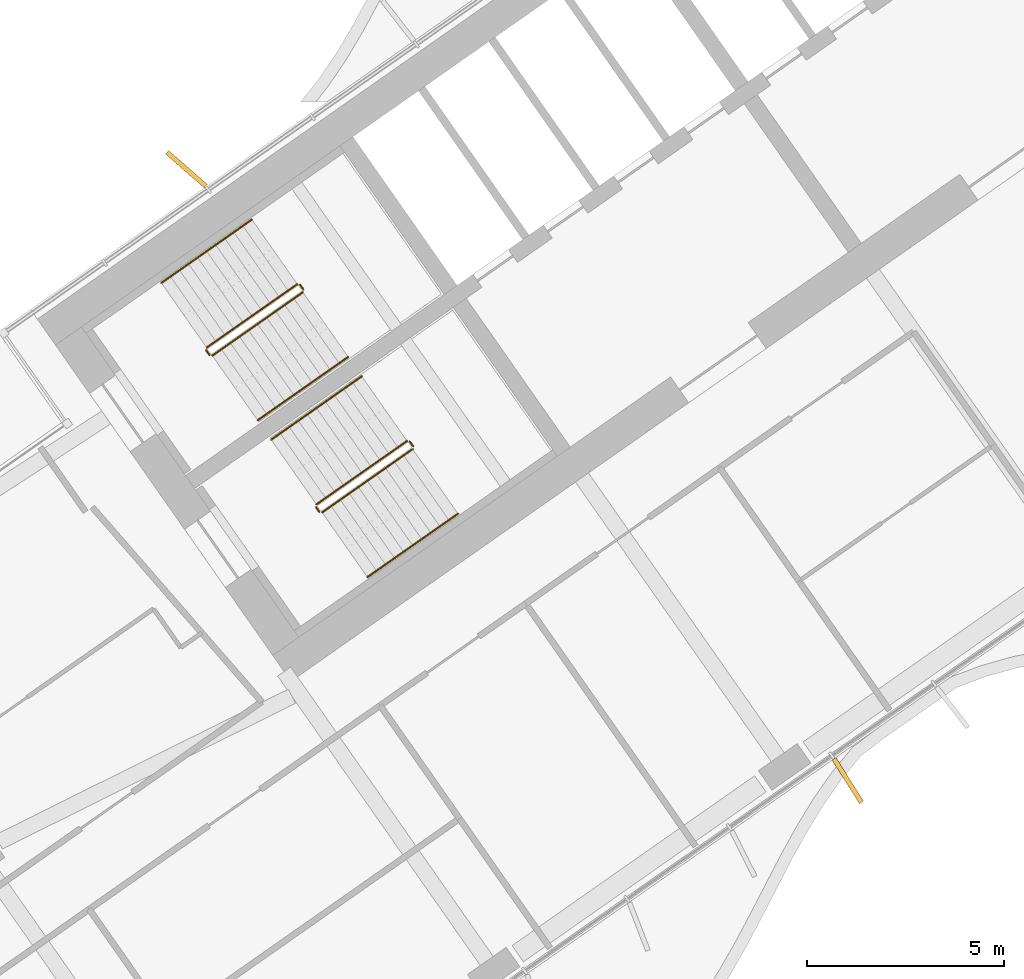
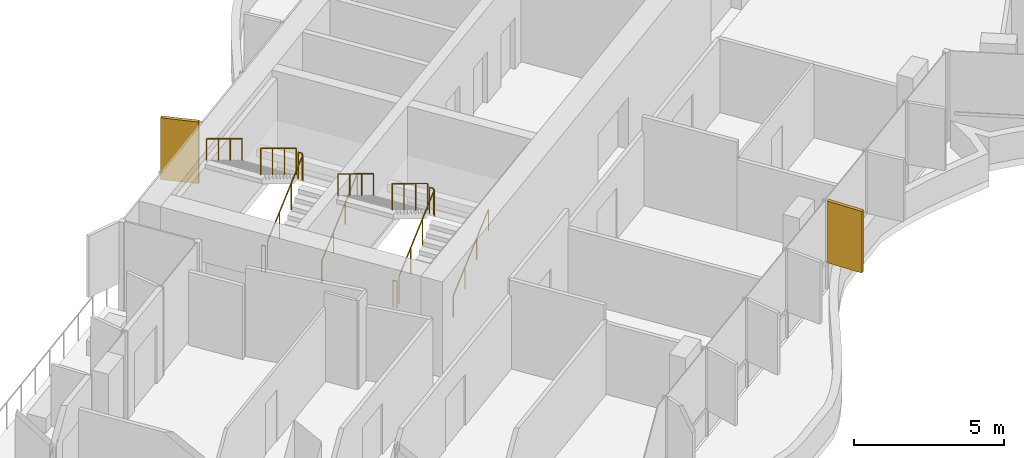
# One storey, part 19 of 24: 12 railings, 2 shading devices.
"""IFC4 building model written with IfcOpenShell, lengths in metres."""

from ifc_helpers import new_model, si_unit, direction, frame, origin, origin_2d, place, context, subcontext, project, spatial, rectangle, circle, extrude, material, layer, layer_set, type_object, element, save


model = new_model("IFC4")

# Units and contexts
model_context = context("Model", 3, precision=1e-05, world=origin(), true_north=direction((0.0, 1.0)))
body_context = subcontext(model_context, "Body", "Model", "MODEL_VIEW")
ifc_project = project(units=[si_unit("LENGTHUNIT", "METRE"), si_unit("AREAUNIT", "SQUARE_METRE"), si_unit("VOLUMEUNIT", "CUBIC_METRE"), si_unit("PLANEANGLEUNIT", "RADIAN"), si_unit("MASSUNIT", "GRAM", prefix="KILO")], contexts=[model_context])

# Site, building, storey
site_placement = place(None, origin())
site = spatial("IfcSite", under=ifc_project, at=site_placement, CompositionType="ELEMENT")
building_placement = place(site_placement, origin())
building = spatial("IfcBuilding", under=site, at=building_placement, Name="Tel Ilan Convention Tower", CompositionType="ELEMENT")
storey_placement = place(building_placement, frame((0.0, 0.0, 132.0)))
storey = spatial("IfcBuildingStorey", under=building, at=storey_placement, Name="L29", CompositionType="ELEMENT", Elevation=132.0)

# Shading devices
ifc_material_1 = material(Name="Aluminium, bronze anodised", Category="aluminium")
ifc_layer = layer(ifc_material_1, 0.1201171875)
ifc_layer_set = layer_set([ifc_layer], Name="FIN BRONZE 1300x120")
shading_device_type = type_object("IfcShadingDeviceType", Name="FIN BRONZE 1300x120", PredefinedType="USERDEFINED", material=ifc_layer_set)
for number, where, z_axis, x_axis, name in (
    (1, (-24.191162109375, -3.33349609375, 1.10009765625), (0.0, 0.0, 1.0), (-0.753435896329, 0.657521368568, 0.0), "FIN"),
    (2, (-7.437255859375, -18.8212890625, 1.10009765625), (0.0, 0.0, 1.0), (0.533204432798, -0.845986425922, 0.0), "FIN"),
):
    element("IfcShadingDevice", number, at=place(storey_placement, frame(where, z_axis=z_axis, x_axis=x_axis)), inside=storey, type_object=shading_device_type, Name=name, ObjectType="FIN", PredefinedType="USERDEFINED", context=body_context, shape_type="SweptSolid", body=[
        extrude(rectangle(XDim=1.300048828125, YDim=0.1201171875, at=origin_2d()), origin(), (0.0, 0.0, 1.0), 2.52001953125),
    ])

# Railings
ifc_material_2 = material(Name="Stainless Steel Grade 316", Category="steel")
railing_type_1 = type_object("IfcRailingType", Name="Stainless Steel Stair Guard 1100 mm", PredefinedType="GUARDRAIL", material=ifc_material_2)
railing_1_placement = place(storey_placement, frame((-23.535400390625, -8.056396484375, 0.17724609375)))
element("IfcRailing", 3, at=railing_1_placement, inside=storey, type_object=railing_type_1, Name="L29 S1 stair guard 1", PredefinedType="GUARDRAIL", context=body_context, shape_type="SweptSolid", body=[
    extrude(circle(Radius=0.02392578125, at=origin_2d()), frame((0.0, 0.0, 1.076171875), z_axis=(0.692098378994, 0.484653031975, 0.534893701956), x_axis=(-0.573608623498, 0.819129505664, 0.0)), (0.0, 0.0, 1.0), 3.314208984375),
    extrude(circle(Radius=0.02099609375, at=origin_2d()), origin(), (0.0, 0.0, 1.0), 1.052001953125),
    extrude(circle(Radius=0.02099609375, at=origin_2d()), frame((0.7646484375, 0.535400390625, 0.5908203125)), (0.0, 0.0, 1.0), 1.052001953125),
    extrude(circle(Radius=0.02099609375, at=origin_2d()), frame((1.529052734375, 1.07080078125, 1.181884765625)), (0.0, 0.0, 1.0), 1.052001953125),
    extrude(circle(Radius=0.02099609375, at=origin_2d()), frame((2.293701171875, 1.606201171875, 1.772705078125)), (0.0, 0.0, 1.0), 1.052001953125),
])
railing_2_placement = place(storey_placement, frame((-21.2294921875, -6.380615234375, 1.949951171875)))
element("IfcRailing", 4, at=railing_2_placement, inside=storey, type_object=railing_type_1, Name="L29 S1 stair guard 2", PredefinedType="GUARDRAIL", context=body_context, shape_type="SweptSolid", body=[
    extrude(circle(Radius=0.02392578125, at=origin_2d()), frame((0.0, 0.0, 1.076171875), z_axis=(-0.573353020881, 0.819308436089, 0.0), x_axis=(-0.819308436089, -0.573353020881, 0.0)), (0.0, 0.0, 1.0), 0.14990234375),
    extrude(circle(Radius=0.02099609375, at=origin_2d()), origin(), (0.0, 0.0, 1.0), 1.052001953125),
    extrude(circle(Radius=0.02099609375, at=origin_2d()), frame((-0.0859375, 0.122802734375, 0.0)), (0.0, 0.0, 1.0), 1.052001953125),
])
railing_3_placement = place(storey_placement, frame((-21.38525390625, -6.24560546875, 2.127197265625)))
element("IfcRailing", 5, at=railing_3_placement, inside=storey, type_object=railing_type_1, Name="L29 S1 stair guard 3", PredefinedType="GUARDRAIL", context=body_context, shape_type="SweptSolid", body=[
    extrude(circle(Radius=0.02392578125, at=origin_2d()), frame((0.0, 0.0, 1.076171875), z_axis=(-0.692084706163, -0.484621375041, 0.534940073605), x_axis=(0.573591086599, -0.819141785879, 0.0)), (0.0, 0.0, 1.0), 3.313720703125),
    extrude(circle(Radius=0.02099609375, at=origin_2d()), origin(), (0.0, 0.0, 1.0), 1.052001953125),
    extrude(circle(Radius=0.02099609375, at=origin_2d()), frame((-0.764404296875, -0.535400390625, 0.5908203125)), (0.0, 0.0, 1.0), 1.052001953125),
    extrude(circle(Radius=0.02099609375, at=origin_2d()), frame((-1.529052734375, -1.070556640625, 1.181884765625)), (0.0, 0.0, 1.0), 1.052001953125),
    extrude(circle(Radius=0.02099609375, at=origin_2d()), frame((-2.29345703125, -1.60595703125, 1.772705078125)), (0.0, 0.0, 1.0), 1.052001953125),
])
railing_4_placement = place(storey_placement, frame((-23.60498046875, -8.0439453125, 0.0)))
element("IfcRailing", 6, at=railing_4_placement, inside=storey, type_object=railing_type_1, Name="L29 S1 stair guard 4", PredefinedType="GUARDRAIL", context=body_context, shape_type="SweptSolid", body=[
    extrude(circle(Radius=0.02392578125, at=origin_2d()), frame((0.0, 0.0, 1.076171875), z_axis=(-0.574444878118, 0.818543268254, 0.0), x_axis=(-0.818543268254, -0.574444878118, 0.0)), (0.0, 0.0, 1.0), 0.150146484375),
    extrude(circle(Radius=0.02099609375, at=origin_2d()), origin(), (0.0, 0.0, 1.0), 1.052001953125),
    extrude(circle(Radius=0.02099609375, at=origin_2d()), frame((-0.086181640625, 0.122802734375, 0.0)), (0.0, 0.0, 1.0), 1.052001953125),
])
railing_5_placement = place(storey_placement, frame((-20.753662109375, -12.029296875, 0.17724609375)))
element("IfcRailing", 7, at=railing_5_placement, inside=storey, type_object=railing_type_1, Name="L29 S2 stair guard 1", PredefinedType="GUARDRAIL", context=body_context, shape_type="SweptSolid", body=[
    extrude(circle(Radius=0.02392578125, at=origin_2d()), frame((0.0, 0.0, 1.076171875), z_axis=(0.692098378994, 0.484653031975, 0.534893701956), x_axis=(-0.573608623498, 0.819129505664, 0.0)), (0.0, 0.0, 1.0), 3.314208984375),
    extrude(circle(Radius=0.02099609375, at=origin_2d()), origin(), (0.0, 0.0, 1.0), 1.052001953125),
    extrude(circle(Radius=0.02099609375, at=origin_2d()), frame((0.7646484375, 0.535400390625, 0.5908203125)), (0.0, 0.0, 1.0), 1.052001953125),
    extrude(circle(Radius=0.02099609375, at=origin_2d()), frame((1.529052734375, 1.07080078125, 1.181884765625)), (0.0, 0.0, 1.0), 1.052001953125),
    extrude(circle(Radius=0.02099609375, at=origin_2d()), frame((2.293701171875, 1.606201171875, 1.772705078125)), (0.0, 0.0, 1.0), 1.052001953125),
])
railing_6_placement = place(storey_placement, frame((-18.44775390625, -10.353515625, 1.949951171875)))
element("IfcRailing", 8, at=railing_6_placement, inside=storey, type_object=railing_type_1, Name="L29 S2 stair guard 2", PredefinedType="GUARDRAIL", context=body_context, shape_type="SweptSolid", body=[
    extrude(circle(Radius=0.02392578125, at=origin_2d()), frame((0.0, 0.0, 1.076171875), z_axis=(-0.573353020881, 0.819308436089, 0.0), x_axis=(-0.819308436089, -0.573353020881, 0.0)), (0.0, 0.0, 1.0), 0.14990234375),
    extrude(circle(Radius=0.02099609375, at=origin_2d()), origin(), (0.0, 0.0, 1.0), 1.052001953125),
    extrude(circle(Radius=0.02099609375, at=origin_2d()), frame((-0.0859375, 0.122802734375, 0.0)), (0.0, 0.0, 1.0), 1.052001953125),
])
railing_7_placement = place(storey_placement, frame((-18.603271484375, -10.218505859375, 2.127197265625)))
element("IfcRailing", 9, at=railing_7_placement, inside=storey, type_object=railing_type_1, Name="L29 S2 stair guard 3", PredefinedType="GUARDRAIL", context=body_context, shape_type="SweptSolid", body=[
    extrude(circle(Radius=0.02392578125, at=origin_2d()), frame((0.0, 0.0, 1.076171875), z_axis=(-0.692123088272, -0.484596665743, 0.534912798717), x_axis=(0.573550118428, -0.819170471667, 0.0)), (0.0, 0.0, 1.0), 3.31396484375),
    extrude(circle(Radius=0.02099609375, at=origin_2d()), origin(), (0.0, 0.0, 1.0), 1.052001953125),
    extrude(circle(Radius=0.02099609375, at=origin_2d()), frame((-0.7646484375, -0.535400390625, 0.5908203125)), (0.0, 0.0, 1.0), 1.052001953125),
    extrude(circle(Radius=0.02099609375, at=origin_2d()), frame((-1.529052734375, -1.070556640625, 1.181884765625)), (0.0, 0.0, 1.0), 1.052001953125),
    extrude(circle(Radius=0.02099609375, at=origin_2d()), frame((-2.293701171875, -1.60595703125, 1.772705078125)), (0.0, 0.0, 1.0), 1.052001953125),
])
railing_8_placement = place(storey_placement, frame((-20.8232421875, -12.016845703125, 0.0)))
element("IfcRailing", 10, at=railing_8_placement, inside=storey, type_object=railing_type_1, Name="L29 S2 stair guard 4", PredefinedType="GUARDRAIL", context=body_context, shape_type="SweptSolid", body=[
    extrude(circle(Radius=0.02392578125, at=origin_2d()), frame((0.0, 0.0, 1.076171875), z_axis=(-0.573353020881, 0.819308436089, 0.0), x_axis=(-0.819308436089, -0.573353020881, 0.0)), (0.0, 0.0, 1.0), 0.14990234375),
    extrude(circle(Radius=0.02099609375, at=origin_2d()), origin(), (0.0, 0.0, 1.0), 1.052001953125),
    extrude(circle(Radius=0.02099609375, at=origin_2d()), frame((-0.0859375, 0.122802734375, 0.0)), (0.0, 0.0, 1.0), 1.052001953125),
])
ifc_material_3 = material(Name="Stainless Steel Grade 316", Category="steel")
railing_type_2 = type_object("IfcRailingType", Name="Stainless Steel Stair Handrail 900 mm", PredefinedType="HANDRAIL", material=ifc_material_3)
railing_9_placement = place(storey_placement, frame((-22.38818359375, -9.694580078125, 0.17724609375)))
element("IfcRailing", 11, at=railing_9_placement, inside=storey, type_object=railing_type_2, Name="L29 S1 stair handrail 1", PredefinedType="HANDRAIL", context=body_context, shape_type="SweptSolid", body=[
    extrude(circle(Radius=0.02392578125, at=origin_2d()), frame((0.0, 0.0, 0.8759765625), z_axis=(0.692084706163, 0.484621375041, 0.534940073605), x_axis=(-0.573591086599, 0.819141785879, 0.0)), (0.0, 0.0, 1.0), 3.313720703125),
    extrude(circle(Radius=0.02099609375, at=origin_2d()), origin(), (0.0, 0.0, 1.0), 0.851806640625),
    extrude(circle(Radius=0.02099609375, at=origin_2d()), frame((0.764404296875, 0.535400390625, 0.5908203125)), (0.0, 0.0, 1.0), 0.851806640625),
    extrude(circle(Radius=0.02099609375, at=origin_2d()), frame((1.529052734375, 1.070556640625, 1.181884765625)), (0.0, 0.0, 1.0), 0.851806640625),
    extrude(circle(Radius=0.02099609375, at=origin_2d()), frame((2.29345703125, 1.60595703125, 1.772705078125)), (0.0, 0.0, 1.0), 0.851806640625),
])
railing_10_placement = place(storey_placement, frame((-22.5322265625, -4.607177734375, 2.127197265625)))
element("IfcRailing", 12, at=railing_10_placement, inside=storey, type_object=railing_type_2, Name="L29 S1 stair handrail 2", PredefinedType="HANDRAIL", context=body_context, shape_type="SweptSolid", body=[
    extrude(circle(Radius=0.02392578125, at=origin_2d()), frame((0.0, 0.0, 0.8759765625), z_axis=(-0.692123088272, -0.484596665743, 0.534912798717), x_axis=(0.573550118428, -0.819170471667, 0.0)), (0.0, 0.0, 1.0), 3.31396484375),
    extrude(circle(Radius=0.02099609375, at=origin_2d()), origin(), (0.0, 0.0, 1.0), 0.851806640625),
    extrude(circle(Radius=0.02099609375, at=origin_2d()), frame((-0.7646484375, -0.535400390625, 0.5908203125)), (0.0, 0.0, 1.0), 0.851806640625),
    extrude(circle(Radius=0.02099609375, at=origin_2d()), frame((-1.529052734375, -1.070556640625, 1.181884765625)), (0.0, 0.0, 1.0), 0.851806640625),
    extrude(circle(Radius=0.02099609375, at=origin_2d()), frame((-2.293701171875, -1.60595703125, 1.772705078125)), (0.0, 0.0, 1.0), 0.851806640625),
])
railing_11_placement = place(storey_placement, frame((-19.6064453125, -13.66748046875, 0.17724609375)))
element("IfcRailing", 13, at=railing_11_placement, inside=storey, type_object=railing_type_2, Name="L29 S2 stair handrail 1", PredefinedType="HANDRAIL", context=body_context, shape_type="SweptSolid", body=[
    extrude(circle(Radius=0.02392578125, at=origin_2d()), frame((0.0, 0.0, 0.8759765625), z_axis=(0.692123088272, 0.484596665743, 0.534912798717), x_axis=(-0.573550118428, 0.819170471667, 0.0)), (0.0, 0.0, 1.0), 3.31396484375),
    extrude(circle(Radius=0.02099609375, at=origin_2d()), origin(), (0.0, 0.0, 1.0), 0.851806640625),
    extrude(circle(Radius=0.02099609375, at=origin_2d()), frame((0.7646484375, 0.535400390625, 0.5908203125)), (0.0, 0.0, 1.0), 0.851806640625),
    extrude(circle(Radius=0.02099609375, at=origin_2d()), frame((1.529052734375, 1.070556640625, 1.181884765625)), (0.0, 0.0, 1.0), 0.851806640625),
    extrude(circle(Radius=0.02099609375, at=origin_2d()), frame((2.293701171875, 1.60595703125, 1.772705078125)), (0.0, 0.0, 1.0), 0.851806640625),
])
railing_12_placement = place(storey_placement, frame((-19.75048828125, -8.580078125, 2.127197265625)))
element("IfcRailing", 14, at=railing_12_placement, inside=storey, type_object=railing_type_2, Name="L29 S2 stair handrail 2", PredefinedType="HANDRAIL", context=body_context, shape_type="SweptSolid", body=[
    extrude(circle(Radius=0.02392578125, at=origin_2d()), frame((0.0, 0.0, 0.8759765625), z_axis=(-0.692123088272, -0.484596665743, 0.534912798717), x_axis=(0.573550118428, -0.819170471667, 0.0)), (0.0, 0.0, 1.0), 3.31396484375),
    extrude(circle(Radius=0.02099609375, at=origin_2d()), origin(), (0.0, 0.0, 1.0), 0.851806640625),
    extrude(circle(Radius=0.02099609375, at=origin_2d()), frame((-0.7646484375, -0.535400390625, 0.5908203125)), (0.0, 0.0, 1.0), 0.851806640625),
    extrude(circle(Radius=0.02099609375, at=origin_2d()), frame((-1.529052734375, -1.070556640625, 1.181884765625)), (0.0, 0.0, 1.0), 0.851806640625),
    extrude(circle(Radius=0.02099609375, at=origin_2d()), frame((-2.293701171875, -1.60595703125, 1.772705078125)), (0.0, 0.0, 1.0), 0.851806640625),
])

save(model, "model.ifc")
